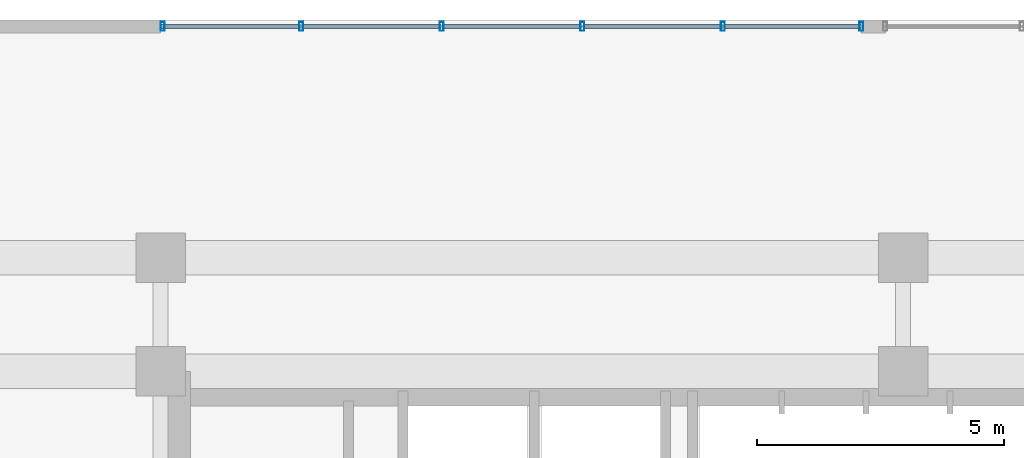
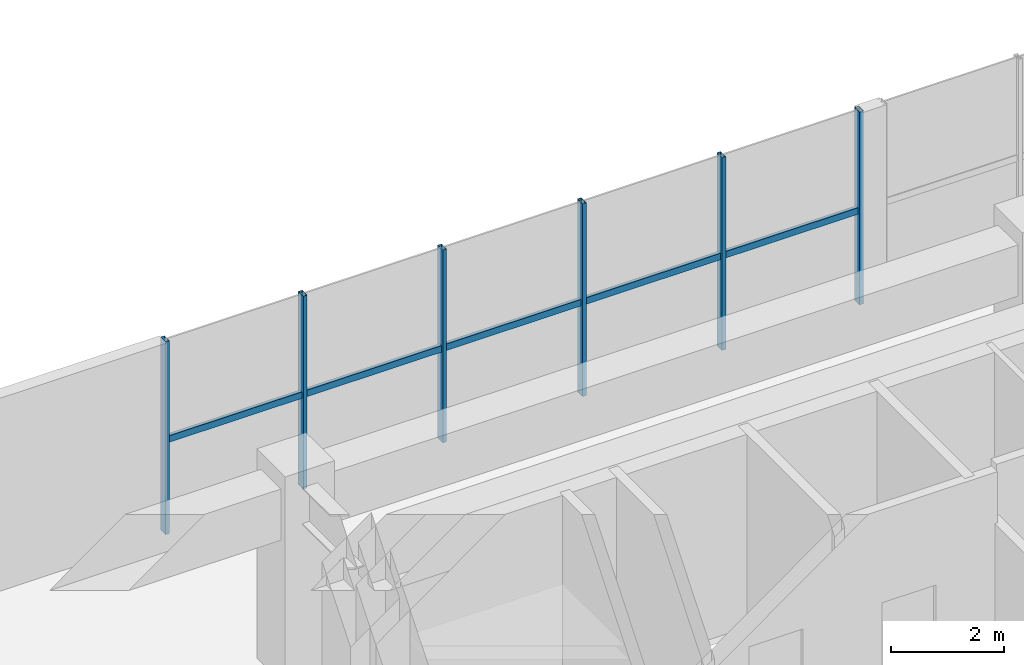
# One storey, part 6 of 21: 11 members, 1 element without a shape of its own.
"""IFC4 building model written with IfcOpenShell, lengths in metres."""

from ifc_helpers import new_model, si_unit, direction, frame, origin, origin_2d, place, context, subcontext, project, spatial, hollow_rectangle, extrude, source, transform, mapped, material, material_profile, profile_set, type_object, element, aggregate, save


model = new_model("IFC4")

# Units and contexts
model_context = context("Model", 3, precision=1e-05, world=origin(), true_north=direction((0.0, 1.0)))
body_context = subcontext(model_context, "Body", "Model", "MODEL_VIEW")
ifc_project = project(units=[si_unit("LENGTHUNIT", "METRE"), si_unit("AREAUNIT", "SQUARE_METRE"), si_unit("VOLUMEUNIT", "CUBIC_METRE"), si_unit("PLANEANGLEUNIT", "RADIAN"), si_unit("MASSUNIT", "GRAM", prefix="KILO")], contexts=[model_context])

# Site, building, storey
site_placement = place(None, origin())
site = spatial("IfcSite", under=ifc_project, at=site_placement, CompositionType="ELEMENT")
building_placement = place(site_placement, origin())
building = spatial("IfcBuilding", under=site, at=building_placement, Name="Trelvane Seafront Commons", CompositionType="ELEMENT")
storey_placement = place(building_placement, frame((0.0, 0.0, 14.199951171875)))
storey = spatial("IfcBuildingStorey", under=building, at=storey_placement, Name="L03", CompositionType="ELEMENT", Elevation=14.199951171875)

# Curtain wall, members
ifc_material = material(Name="Anodised pale-silver aluminium", Category="aluminium")
curtain_wall_type = type_object("IfcCurtainWallType", Name="ARCH-CW1-PODIUM", PredefinedType="NOTDEFINED", material=ifc_material)
curtain_wall_placement = place(storey_placement, origin())
curtain_wall = element("IfcCurtainWall", 1, at=curtain_wall_placement, inside=storey, type_object=curtain_wall_type, Name="CW-L03-0019", PredefinedType="NOTDEFINED")
ifc_material_profile_1 = material_profile(ifc_material, hollow_rectangle(XDim=0.074951171875, YDim=0.139892578125, WallThickness=0.00390625, at=origin_2d()), Name="TRAN-75x140x4")
ifc_profile_set_1 = profile_set([ifc_material_profile_1], Name="Anodised pale-silver aluminium")
member_type_1 = type_object("IfcMemberType", Name="ARCH-CW-TRAN-140", PredefinedType="USERDEFINED", material=ifc_profile_set_1)
shared_shape_1 = source(origin(), body_context, "Body", "SweptSolid", [
    extrude(hollow_rectangle(XDim=0.074951171875, YDim=0.139892578125, WallThickness=0.00390625, at=origin_2d()), origin(), (0.0, 0.0, 1.0), 2.81591796875),
])
member_1_placement = place(storey_placement, frame((15.612060546875, 52.070068359375, 1.991943359375), z_axis=(1.0, 0.0, 0.0), x_axis=(0.0, 1.0, 0.0)))
member_1 = element("IfcMember", 2, at=member_1_placement, type_object=member_type_1, Name="CW-L03-0019-T00", ObjectType="TRANSOM", PredefinedType="USERDEFINED", context=body_context, shape_type="MappedRepresentation", body=[
    mapped(shared_shape_1, transform((0.0, 0.0, 0.0), x_axis=(1.0, 0.0, 0.0), y_axis=(0.0, 1.0, 0.0), z_axis=(0.0, 0.0, 1.0), scale=1.0)),
])
member_2_placement = place(storey_placement, frame((21.2919921875, 52.070068359375, 1.991943359375), z_axis=(1.0, 0.0, 0.0), x_axis=(0.0, 1.0, 0.0)))
member_2 = element("IfcMember", 3, at=member_2_placement, type_object=member_type_1, Name="CW-L03-0019-T02", ObjectType="TRANSOM", PredefinedType="USERDEFINED", context=body_context, shape_type="MappedRepresentation", body=[
    mapped(shared_shape_1, transform((0.0, 0.0, 0.0), x_axis=(1.0, 0.0, 0.0), y_axis=(0.0, 1.0, 0.0), z_axis=(0.0, 0.0, 1.0), scale=1.0)),
])
member_3_placement = place(storey_placement, frame((24.132080078125, 52.070068359375, 1.991943359375), z_axis=(1.0, 0.0, 0.0), x_axis=(0.0, 1.0, 0.0)))
member_3 = element("IfcMember", 4, at=member_3_placement, type_object=member_type_1, Name="CW-L03-0019-T03", ObjectType="TRANSOM", PredefinedType="USERDEFINED", context=body_context, shape_type="MappedRepresentation", body=[
    mapped(shared_shape_1, transform((0.0, 0.0, 0.0), x_axis=(1.0, 0.0, 0.0), y_axis=(0.0, 1.0, 0.0), z_axis=(0.0, 0.0, 1.0), scale=1.0)),
])
shared_shape_2 = source(origin(), body_context, "Body", "SweptSolid", [
    extrude(hollow_rectangle(XDim=0.074951171875, YDim=0.139892578125, WallThickness=0.00390625, at=origin_2d()), origin(), (0.0, 0.0, 1.0), 2.816162109375),
])
member_4_placement = place(storey_placement, frame((18.451904296875, 52.070068359375, 1.991943359375), z_axis=(1.0, 0.0, 0.0), x_axis=(0.0, 1.0, 0.0)))
member_4 = element("IfcMember", 5, at=member_4_placement, type_object=member_type_1, Name="CW-L03-0019-T01", ObjectType="TRANSOM", PredefinedType="USERDEFINED", context=body_context, shape_type="MappedRepresentation", body=[
    mapped(shared_shape_2, transform((0.0, 0.0, 0.0), x_axis=(1.0, 0.0, 0.0), y_axis=(0.0, 1.0, 0.0), z_axis=(0.0, 0.0, 1.0), scale=1.0)),
])
member_5_placement = place(storey_placement, frame((26.971923828125, 52.070068359375, 1.991943359375), z_axis=(1.0, 0.0, 0.0), x_axis=(0.0, 1.0, 0.0)))
member_5 = element("IfcMember", 6, at=member_5_placement, type_object=member_type_1, Name="CW-L03-0019-T04", ObjectType="TRANSOM", PredefinedType="USERDEFINED", context=body_context, shape_type="MappedRepresentation", body=[
    mapped(shared_shape_2, transform((0.0, 0.0, 0.0), x_axis=(1.0, 0.0, 0.0), y_axis=(0.0, 1.0, 0.0), z_axis=(0.0, 0.0, 1.0), scale=1.0)),
])
ifc_material_profile_2 = material_profile(ifc_material, hollow_rectangle(XDim=0.080078125, YDim=0.179931640625, WallThickness=0.00439453125, at=origin_2d()), Name="MULL-80x180x4.5")
ifc_profile_set_2 = profile_set([ifc_material_profile_2], Name="Anodised pale-silver aluminium")
member_type_2 = type_object("IfcMemberType", Name="ARCH-CW-MULL-180", PredefinedType="MULLION", material=ifc_profile_set_2)
shared_shape_3 = source(origin(), body_context, "Body", "SweptSolid", [
    extrude(hollow_rectangle(XDim=0.080078125, YDim=0.179931640625, WallThickness=0.00439453125, at=origin_2d()), origin(), (0.0, 0.0, 1.0), 4.150146484375),
])
member_6_placement = place(storey_placement, frame((15.639892578125, 52.070068359375, 0.0), z_axis=(0.0, 0.0, 1.0), x_axis=(1.0, 0.0, 0.0)))
member_6 = element("IfcMember", 7, at=member_6_placement, type_object=member_type_2, Name="CW-L03-0019-M00", PredefinedType="MULLION", context=body_context, shape_type="MappedRepresentation", body=[
    mapped(shared_shape_3, transform((0.0, 0.0, 0.0), x_axis=(1.0, 0.0, 0.0), y_axis=(0.0, 1.0, 0.0), z_axis=(0.0, 0.0, 1.0), scale=1.0)),
])
member_7_placement = place(storey_placement, frame((18.43994140625, 52.070068359375, 0.0), z_axis=(0.0, 0.0, 1.0), x_axis=(1.0, 0.0, 0.0)))
member_7 = element("IfcMember", 8, at=member_7_placement, type_object=member_type_2, Name="CW-L03-0019-M01", PredefinedType="MULLION", context=body_context, shape_type="MappedRepresentation", body=[
    mapped(shared_shape_3, transform((0.0, 0.0, 0.0), x_axis=(1.0, 0.0, 0.0), y_axis=(0.0, 1.0, 0.0), z_axis=(0.0, 0.0, 1.0), scale=1.0)),
])
member_8_placement = place(storey_placement, frame((21.280029296875, 52.070068359375, 0.0), z_axis=(0.0, 0.0, 1.0), x_axis=(1.0, 0.0, 0.0)))
member_8 = element("IfcMember", 9, at=member_8_placement, type_object=member_type_2, Name="CW-L03-0019-M02", PredefinedType="MULLION", context=body_context, shape_type="MappedRepresentation", body=[
    mapped(shared_shape_3, transform((0.0, 0.0, 0.0), x_axis=(1.0, 0.0, 0.0), y_axis=(0.0, 1.0, 0.0), z_axis=(0.0, 0.0, 1.0), scale=1.0)),
])
member_9_placement = place(storey_placement, frame((24.1201171875, 52.070068359375, 0.0), z_axis=(0.0, 0.0, 1.0), x_axis=(1.0, 0.0, 0.0)))
member_9 = element("IfcMember", 10, at=member_9_placement, type_object=member_type_2, Name="CW-L03-0019-M03", PredefinedType="MULLION", context=body_context, shape_type="MappedRepresentation", body=[
    mapped(shared_shape_3, transform((0.0, 0.0, 0.0), x_axis=(1.0, 0.0, 0.0), y_axis=(0.0, 1.0, 0.0), z_axis=(0.0, 0.0, 1.0), scale=1.0)),
])
member_10_placement = place(storey_placement, frame((26.9599609375, 52.070068359375, 0.0), z_axis=(0.0, 0.0, 1.0), x_axis=(1.0, 0.0, 0.0)))
member_10 = element("IfcMember", 11, at=member_10_placement, type_object=member_type_2, Name="CW-L03-0019-M04", PredefinedType="MULLION", context=body_context, shape_type="MappedRepresentation", body=[
    mapped(shared_shape_3, transform((0.0, 0.0, 0.0), x_axis=(1.0, 0.0, 0.0), y_axis=(0.0, 1.0, 0.0), z_axis=(0.0, 0.0, 1.0), scale=1.0)),
])
member_11_placement = place(storey_placement, frame((29.760009765625, 52.070068359375, 0.0), z_axis=(0.0, 0.0, 1.0), x_axis=(1.0, 0.0, 0.0)))
member_11 = element("IfcMember", 12, at=member_11_placement, type_object=member_type_2, Name="CW-L03-0019-M05", PredefinedType="MULLION", context=body_context, shape_type="MappedRepresentation", body=[
    mapped(shared_shape_3, transform((0.0, 0.0, 0.0), x_axis=(1.0, 0.0, 0.0), y_axis=(0.0, 1.0, 0.0), z_axis=(0.0, 0.0, 1.0), scale=1.0)),
])
aggregate(curtain_wall, [member_6, member_7, member_8, member_9, member_10, member_11, member_1, member_4, member_2, member_3, member_5])

save(model, "model.ifc")
